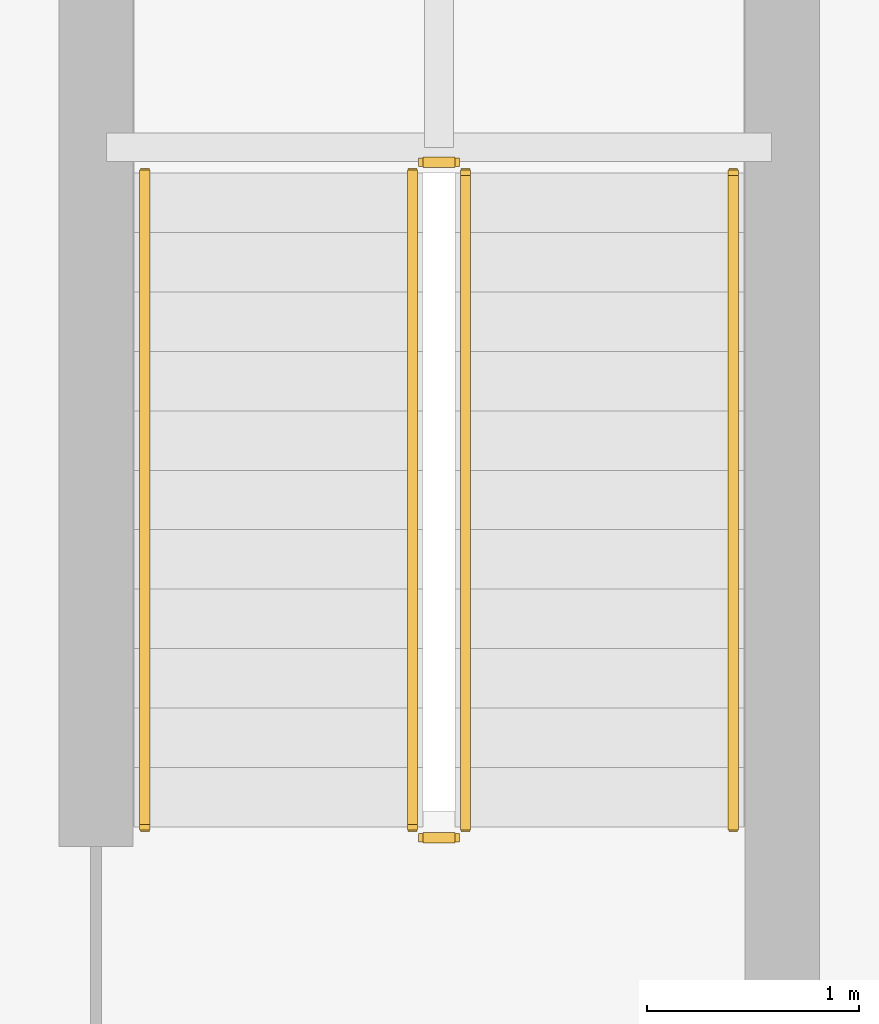
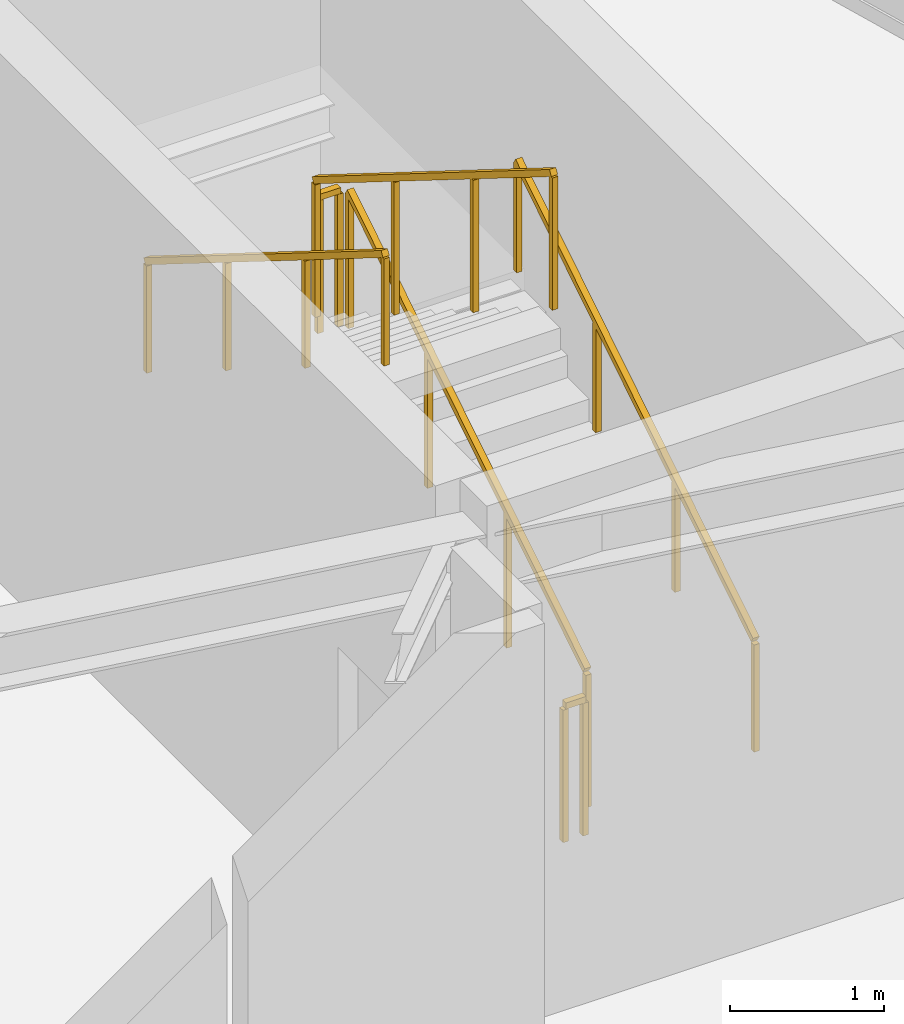
# One storey, part 19 of 21: 6 railings.
"""IFC4 building model written with IfcOpenShell, lengths in metres."""

import ifcopenshell
import ifcopenshell.guid

model = None  # the IFC model being written
_history = None  # IfcOwnerHistory: only IFC2X3 demands one
_inside = {}  # id of a spatial element -> (the spatial element, [elements in it])
_under = {}  # id of a project, library or spatial element -> (it, [spatial elements below it])
_declared = {}  # id of a project -> (the project, [libraries it declares])
_typed = {}  # id of a type object -> (the type object, [elements of that type])
_made_of = {}  # id of a material, layer set ... -> (it, [elements and type objects made of it])


def new_model(schema):
    """Start an empty IFC model of exactly this schema.

    Asked for "IFC4X3", IfcOpenShell would pick the latest addendum, in which some entities
    have other attributes; the version numbers below select the first issue.
    IFC2X3 requires an IfcOwnerHistory on every rooted entity: one is made here for all.
    """
    global model, _history
    if schema == "IFC4X3":
        model = ifcopenshell.file(schema_version=(4, 3, 0, 0))
    else:
        model = ifcopenshell.file(schema=schema)
    _inside.clear()
    _under.clear()
    _declared.clear()
    _typed.clear()
    _made_of.clear()
    _history = None
    if model.schema == "IFC2X3":
        org = make("IfcOrganization", Name="unknown")
        user = make(
            "IfcPersonAndOrganization",
            ThePerson=make("IfcPerson", FamilyName="unknown"),
            TheOrganization=org,
        )
        app = make(
            "IfcApplication",
            ApplicationDeveloper=org,
            Version="unknown",
            ApplicationFullName="unknown",
            ApplicationIdentifier="unknown",
        )
        _history = make(
            "IfcOwnerHistory",
            OwningUser=user,
            OwningApplication=app,
            ChangeAction="ADDED",
            CreationDate=0,
        )
    return model


def make(cls, **values):
    """One entity of the class cls with the attributes given. An attribute that is None is left unset."""
    return model.create_entity(
        cls, **{name: value for name, value in values.items() if value is not None}
    )


def rooted(cls, **values):
    """An entity with a GlobalId (a new one), such as an element, a storey or a relation."""
    return make(cls, GlobalId=ifcopenshell.guid.new(), OwnerHistory=_history, **values)


def si_unit(unit_type, name, prefix=None):
    """IfcSIUnit, for example si_unit("LENGTHUNIT", "METRE", prefix="MILLI")."""
    return make("IfcSIUnit", UnitType=unit_type, Prefix=prefix, Name=name)


def assignment(units):
    """IfcUnitAssignment: the units of a project."""
    return None if units is None else make("IfcUnitAssignment", Units=units)


def point(xyz):
    """IfcCartesianPoint."""
    return None if xyz is None else make("IfcCartesianPoint", Coordinates=xyz)


def direction(xyz):
    """IfcDirection."""
    return None if xyz is None else make("IfcDirection", DirectionRatios=xyz)


def frame(location, z_axis=None, x_axis=None):
    """IfcAxis2Placement3D, a coordinate frame: its origin and axes. An axis left out is left unset."""
    return make(
        "IfcAxis2Placement3D",
        Location=point(location),
        Axis=direction(z_axis),
        RefDirection=direction(x_axis),
    )


def frame_2d(location, x_axis=None):
    """IfcAxis2Placement2D, a coordinate frame in the plane: its origin and x axis."""
    return make(
        "IfcAxis2Placement2D", Location=point(location), RefDirection=direction(x_axis)
    )


def origin():
    """The frame at (0, 0, 0) with its axes left unset."""
    return frame((0.0, 0.0, 0.0))


def origin_2d():
    """The frame at (0, 0) in the plane with its x axis left unset."""
    return frame_2d((0.0, 0.0))


def place(relative_to, where):
    """IfcLocalPlacement: puts the frame where relative to a parent placement (None: the world)."""
    return make(
        "IfcLocalPlacement", PlacementRelTo=relative_to, RelativePlacement=where
    )


def context(
    kind, dimensions, precision=None, world=None, true_north=None, identifier=None
):
    """IfcGeometricRepresentationContext, for example the 3D "Model" context."""
    return make(
        "IfcGeometricRepresentationContext",
        ContextIdentifier=identifier,
        ContextType=kind,
        CoordinateSpaceDimension=dimensions,
        Precision=precision,
        WorldCoordinateSystem=world,
        TrueNorth=true_north,
    )


def subcontext(parent, identifier, kind, view, scale=None):
    """IfcGeometricRepresentationSubContext, for example "Body" below "Model"."""
    return make(
        "IfcGeometricRepresentationSubContext",
        ContextIdentifier=identifier,
        ContextType=kind,
        ParentContext=parent,
        TargetScale=scale,
        TargetView=view,
    )


def project(units=None, contexts=None):
    """IfcProject with its units and contexts."""
    return rooted(
        "IfcProject",
        Name="project",
        RepresentationContexts=contexts,
        UnitsInContext=assignment(units),
    )


def spatial(cls, under=None, at=None, **own):
    """A site, building, storey or space (cls), placed at a placement, below another one or the project."""
    s = rooted(cls, ObjectPlacement=at, **own)
    if under is not None:
        _under.setdefault(under.id(), (under, []))[1].append(s)
    return s


def profile(cls, at=None, kind="AREA", **sizes):
    """A parametric profile (cls). Its sizes go by their IFC names, for example OverallWidth=200.0."""
    return make(cls, ProfileType=kind, Position=at, **sizes)


def rectangle(**sizes):
    """IfcRectangleProfileDef."""
    return profile("IfcRectangleProfileDef", **sizes)


def extrude(swept, where, along, depth):
    """IfcExtrudedAreaSolid: the profile swept, set in the frame where, extruded along a direction by depth."""
    return make(
        "IfcExtrudedAreaSolid",
        SweptArea=swept,
        Position=where,
        ExtrudedDirection=direction(along),
        Depth=depth,
    )


def shape(context_of_items, identifier, shape_type, items):
    """IfcShapeRepresentation: the items that make up one representation, for example the "Body"."""
    return make(
        "IfcShapeRepresentation",
        ContextOfItems=context_of_items,
        RepresentationIdentifier=identifier,
        RepresentationType=shape_type,
        Items=items,
    )


def material(Name=None, Category=None):
    """IfcMaterial."""
    return make("IfcMaterial", Name=Name, Category=Category)


def made_of(thing, what):
    """Note that an element or type object is made of a material, layer set ...; save() writes the relation."""
    if what is not None:
        _made_of.setdefault(what.id(), (what, []))[1].append(thing)
    return thing


def type_object(cls, material=None, **own):
    """A type object (cls), such as IfcWallType, which elements share."""
    return made_of(rooted(cls, **own), material)


def element(
    cls,
    number,
    at=None,
    inside=None,
    cuts=None,
    type_object=None,
    material=None,
    context=None,
    identifier="Body",
    shape_type=None,
    held_by="IfcProductDefinitionShape",
    body=None,
    shapes=None,
    **own,
):
    """One element of the class cls, such as IfcWall. Its Tag is "e" and its number.

    at: its placement. inside: the storey or other place that contains it. cuts: it is an
    opening in that element (IfcRelVoidsElement). A single representation is given by context,
    identifier, shape_type and body (its items); several are given by shapes. held_by: the class
    of the entity that holds the representations. save() writes the other relations.
    """
    e = rooted(cls, Tag="e%d" % number, ObjectPlacement=at, **own)
    if body is not None:
        shapes = [shape(context, identifier, shape_type, body)]
    if shapes is not None:
        e.Representation = make(held_by, Representations=shapes)
    if inside is not None:
        _inside.setdefault(inside.id(), (inside, []))[1].append(e)
    if cuts is not None:
        rooted(
            "IfcRelVoidsElement", RelatingBuildingElement=cuts, RelatedOpeningElement=e
        )
    if type_object is not None:
        _typed.setdefault(type_object.id(), (type_object, []))[1].append(e)
    return made_of(e, material)


def aggregate(whole, parts):
    """IfcRelAggregates: a whole, such as a stair, and the parts it consists of."""
    return rooted("IfcRelAggregates", RelatingObject=whole, RelatedObjects=parts)


def save(model, path):
    """Write the relations noted so far, then the file.

    IfcRelAggregates (storeys below a building ...), IfcRelContainedInSpatialStructure (elements
    in a storey), IfcRelDefinesByType, IfcRelAssociatesMaterial and IfcRelDeclares: one each for
    every whole, place, type object, material and project.
    """
    for whole, parts in _under.values():
        aggregate(whole, parts)
    for where, things in _inside.values():
        rooted(
            "IfcRelContainedInSpatialStructure",
            RelatedElements=things,
            RelatingStructure=where,
        )
    for kind, things in _typed.values():
        rooted("IfcRelDefinesByType", RelatedObjects=things, RelatingType=kind)
    for what, things in _made_of.values():
        rooted("IfcRelAssociatesMaterial", RelatedObjects=things, RelatingMaterial=what)
    for by, libraries in _declared.values():
        rooted("IfcRelDeclares", RelatingContext=by, RelatedDefinitions=libraries)
    model.write(path)


model = new_model("IFC4")

# Units and contexts
model_context = context("Model", 3, precision=1e-05, world=origin(), true_north=direction((0.0, 1.0)))
body_context = subcontext(model_context, "Body", "Model", "MODEL_VIEW")
ifc_project = project(units=[si_unit("LENGTHUNIT", "METRE"), si_unit("AREAUNIT", "SQUARE_METRE"), si_unit("VOLUMEUNIT", "CUBIC_METRE"), si_unit("PLANEANGLEUNIT", "RADIAN"), si_unit("MASSUNIT", "GRAM", prefix="KILO")], contexts=[model_context])

# Site, building, storey
site_placement = place(None, origin())
site = spatial("IfcSite", under=ifc_project, at=site_placement, CompositionType="ELEMENT")
building_placement = place(site_placement, origin())
building = spatial("IfcBuilding", under=site, at=building_placement, Name="Varnakorn Sky Granary", CompositionType="ELEMENT")
storey_placement = place(building_placement, frame((0.0, 0.0, 294.0)))
storey = spatial("IfcBuildingStorey", under=building, at=storey_placement, Name="L75", CompositionType="ELEMENT", Elevation=294.0)

# Railings
ifc_material = material(Name="Brushed Stainless Steel 316", Category="steel")
railing_type_1 = type_object("IfcRailingType", Name="RL-STAIR-1100", PredefinedType="GUARDRAIL", material=ifc_material)
railing_1_placement = place(storey_placement, frame((16.090087890625, -6.139892578125, 0.175048828125)))
element("IfcRailing", 1, at=railing_1_placement, inside=storey, type_object=railing_type_1, Name="L75 ST-C2 stair guard 1", PredefinedType="GUARDRAIL", context=body_context, shape_type="SweptSolid", body=[
    extrude(rectangle(XDim=0.048095703125, YDim=0.048095703125, at=origin_2d()), frame((0.0, 0.0, 1.076171875), z_axis=(0.0, 0.847979421464, 0.530029150871), x_axis=(-1.0, 0.0, 0.0)), (0.0, 0.0, 1.0), 3.632080078125),
    extrude(rectangle(XDim=0.0419921875, YDim=0.0419921875, at=origin_2d()), origin(), (0.0, 0.0, 1.0), 1.048095703125),
    extrude(rectangle(XDim=0.0419921875, YDim=0.0419921875, at=origin_2d()), frame((0.0, 1.026611328125, 0.6416015625)), (0.0, 0.0, 1.0), 1.048095703125),
    extrude(rectangle(XDim=0.0419921875, YDim=0.0419921875, at=origin_2d()), frame((0.0, 2.05322265625, 1.283447265625)), (0.0, 0.0, 1.0), 1.048095703125),
    extrude(rectangle(XDim=0.0419921875, YDim=0.0419921875, at=origin_2d()), frame((0.0, 3.079833984375, 1.925048828125)), (0.0, 0.0, 1.0), 1.048095703125),
])
railing_2_placement = place(storey_placement, frame((16.0400390625, -3.010009765625, 2.10009765625)))
element("IfcRailing", 2, at=railing_2_placement, inside=storey, type_object=railing_type_1, Name="L75 ST-C2 stair guard 2", PredefinedType="GUARDRAIL", context=body_context, shape_type="SweptSolid", body=[
    extrude(rectangle(XDim=0.048095703125, YDim=0.048095703125, at=origin_2d()), frame((0.0, 0.0, 1.076171875), z_axis=(-1.0, 0.0, 0.0), x_axis=(0.0, -1.0, 0.0)), (0.0, 0.0, 1.0), 0.150146484375),
    extrude(rectangle(XDim=0.0419921875, YDim=0.0419921875, at=origin_2d()), origin(), (0.0, 0.0, 1.0), 1.048095703125),
    extrude(rectangle(XDim=0.0419921875, YDim=0.0419921875, at=origin_2d()), frame((-0.150146484375, 0.0, 0.0)), (0.0, 0.0, 1.0), 1.048095703125),
])
railing_3_placement = place(storey_placement, frame((15.840087890625, -3.06005859375, 2.27490234375)))
element("IfcRailing", 3, at=railing_3_placement, inside=storey, type_object=railing_type_1, Name="L75 ST-C2 stair guard 3", PredefinedType="GUARDRAIL", context=body_context, shape_type="SweptSolid", body=[
    extrude(rectangle(XDim=0.048095703125, YDim=0.048095703125, at=origin_2d()), frame((0.0, 0.0, 1.076171875), z_axis=(0.0, -0.847979421464, 0.530029150871), x_axis=(1.0, 0.0, 0.0)), (0.0, 0.0, 1.0), 3.632080078125),
    extrude(rectangle(XDim=0.0419921875, YDim=0.0419921875, at=origin_2d()), origin(), (0.0, 0.0, 1.0), 1.048095703125),
    extrude(rectangle(XDim=0.0419921875, YDim=0.0419921875, at=origin_2d()), frame((0.0, -1.026611328125, 0.6416015625)), (0.0, 0.0, 1.0), 1.048095703125),
    extrude(rectangle(XDim=0.0419921875, YDim=0.0419921875, at=origin_2d()), frame((0.0, -2.05322265625, 1.283447265625)), (0.0, 0.0, 1.0), 1.048095703125),
    extrude(rectangle(XDim=0.0419921875, YDim=0.0419921875, at=origin_2d()), frame((0.0, -3.079833984375, 1.925048828125)), (0.0, 0.0, 1.0), 1.048095703125),
])
railing_4_placement = place(storey_placement, frame((16.0400390625, -6.18994140625, 0.0)))
element("IfcRailing", 4, at=railing_4_placement, inside=storey, type_object=railing_type_1, Name="L75 ST-C2 stair guard 4", PredefinedType="GUARDRAIL", context=body_context, shape_type="SweptSolid", body=[
    extrude(rectangle(XDim=0.048095703125, YDim=0.048095703125, at=origin_2d()), frame((0.0, 0.0, 1.076171875), z_axis=(-1.0, 0.0, 0.0), x_axis=(0.0, -1.0, 0.0)), (0.0, 0.0, 1.0), 0.150146484375),
    extrude(rectangle(XDim=0.0419921875, YDim=0.0419921875, at=origin_2d()), origin(), (0.0, 0.0, 1.0), 1.048095703125),
    extrude(rectangle(XDim=0.0419921875, YDim=0.0419921875, at=origin_2d()), frame((-0.150146484375, 0.0, 0.0)), (0.0, 0.0, 1.0), 1.048095703125),
])
railing_type_2 = type_object("IfcRailingType", Name="RL-STAIR-920", PredefinedType="HANDRAIL", material=ifc_material)
railing_5_placement = place(storey_placement, frame((17.35009765625, -6.139892578125, 0.175048828125)))
element("IfcRailing", 5, at=railing_5_placement, inside=storey, type_object=railing_type_2, Name="L75 ST-C2 stair handrail 1", PredefinedType="HANDRAIL", context=body_context, shape_type="SweptSolid", body=[
    extrude(rectangle(XDim=0.048095703125, YDim=0.048095703125, at=origin_2d()), frame((0.0, 0.0, 0.8759765625), z_axis=(0.0, 0.847979421464, 0.530029150871), x_axis=(-1.0, 0.0, 0.0)), (0.0, 0.0, 1.0), 3.632080078125),
    extrude(rectangle(XDim=0.0419921875, YDim=0.0419921875, at=origin_2d()), origin(), (0.0, 0.0, 1.0), 0.847900390625),
    extrude(rectangle(XDim=0.0419921875, YDim=0.0419921875, at=origin_2d()), frame((0.0, 1.026611328125, 0.6416015625)), (0.0, 0.0, 1.0), 0.847900390625),
    extrude(rectangle(XDim=0.0419921875, YDim=0.0419921875, at=origin_2d()), frame((0.0, 2.05322265625, 1.283447265625)), (0.0, 0.0, 1.0), 0.847900390625),
    extrude(rectangle(XDim=0.0419921875, YDim=0.0419921875, at=origin_2d()), frame((0.0, 3.079833984375, 1.925048828125)), (0.0, 0.0, 1.0), 0.847900390625),
])
railing_6_placement = place(storey_placement, frame((14.580078125, -3.06005859375, 2.27490234375)))
element("IfcRailing", 6, at=railing_6_placement, inside=storey, type_object=railing_type_2, Name="L75 ST-C2 stair handrail 2", PredefinedType="HANDRAIL", context=body_context, shape_type="SweptSolid", body=[
    extrude(rectangle(XDim=0.048095703125, YDim=0.048095703125, at=origin_2d()), frame((0.0, 0.0, 0.8759765625), z_axis=(0.0, -0.847979421464, 0.530029150871), x_axis=(1.0, 0.0, 0.0)), (0.0, 0.0, 1.0), 3.632080078125),
    extrude(rectangle(XDim=0.0419921875, YDim=0.0419921875, at=origin_2d()), origin(), (0.0, 0.0, 1.0), 0.847900390625),
    extrude(rectangle(XDim=0.0419921875, YDim=0.0419921875, at=origin_2d()), frame((0.0, -1.026611328125, 0.6416015625)), (0.0, 0.0, 1.0), 0.847900390625),
    extrude(rectangle(XDim=0.0419921875, YDim=0.0419921875, at=origin_2d()), frame((0.0, -2.05322265625, 1.283447265625)), (0.0, 0.0, 1.0), 0.847900390625),
    extrude(rectangle(XDim=0.0419921875, YDim=0.0419921875, at=origin_2d()), frame((0.0, -3.079833984375, 1.925048828125)), (0.0, 0.0, 1.0), 0.847900390625),
])

save(model, "model.ifc")
